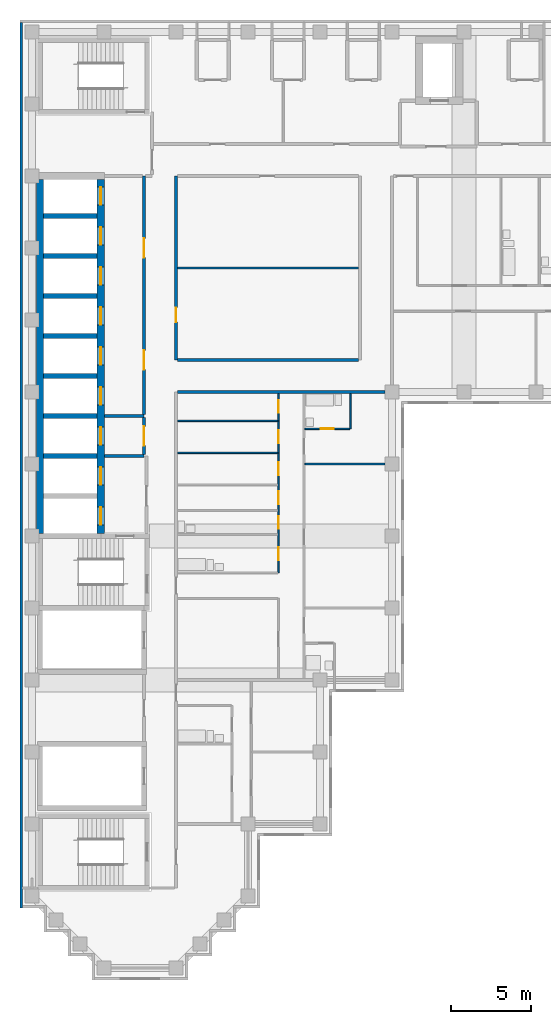
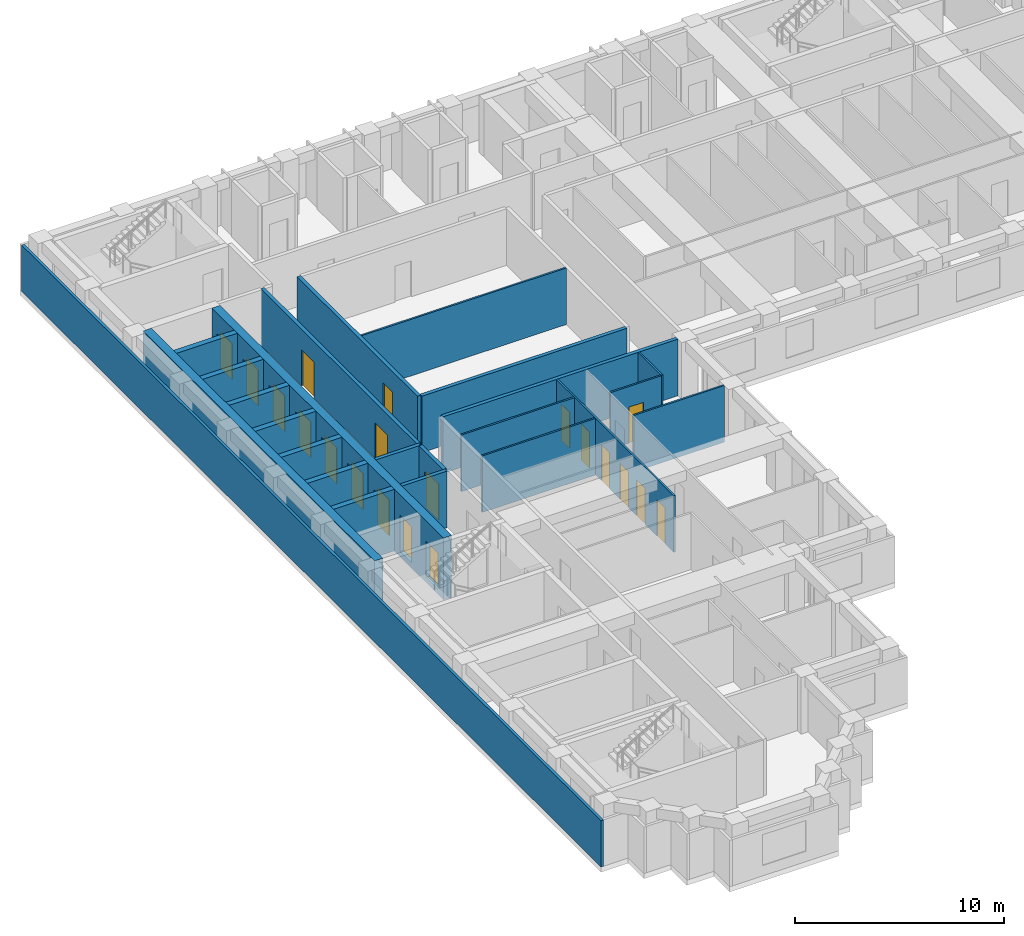
# One storey, part 4 of 10: 24 walls, 20 doors, 20 openings.
"""IFC4 building model written with IfcOpenShell, lengths in metres."""

from ifc_helpers import new_model, si_unit, direction, frame, frame_2d, origin, place, context, subcontext, project, spatial, rectangle, extrude, material, layer, layer_set, type_object, element, fill, save


model = new_model("IFC4")

# Units and contexts
model_context = context("Model", 3, precision=1e-05, world=origin(), true_north=direction((0.0, 1.0)))
body_context = subcontext(model_context, "Body", "Model", "MODEL_VIEW")
ifc_project = project(units=[si_unit("LENGTHUNIT", "METRE"), si_unit("AREAUNIT", "SQUARE_METRE"), si_unit("VOLUMEUNIT", "CUBIC_METRE"), si_unit("PLANEANGLEUNIT", "RADIAN"), si_unit("MASSUNIT", "GRAM", prefix="KILO")], contexts=[model_context])

# Site, building, storey
site_placement = place(None, origin())
site = spatial("IfcSite", under=ifc_project, at=site_placement, CompositionType="ELEMENT")
building_placement = place(site_placement, origin())
building = spatial("IfcBuilding", under=site, at=building_placement, Name="Firuza Court", CompositionType="ELEMENT")
storey_placement = place(building_placement, frame((0.0, 0.0, 197.0)))
storey = spatial("IfcBuildingStorey", under=building, at=storey_placement, Name="L50", CompositionType="ELEMENT", Elevation=197.0)

# Wall, opening, door
ifc_material_1 = material(Name="Moisture-resistant gypsum board partition")
ifc_layer_1 = layer(ifc_material_1, 0.10009765625)
ifc_layer_set_1 = layer_set([ifc_layer_1], Name="Moisture-resistant gypsum board partition")
wall_type_1 = type_object("IfcWallType", Name="Bathroom partition 100", PredefinedType="PLUMBINGWALL", material=ifc_layer_set_1)
wall_1_placement = place(storey_placement, frame((17.050048828125, 33.699951171875, 0.0), z_axis=(0.0, 0.0, 1.0), x_axis=(1.0, 0.0, 0.0)))
wall_1 = element("IfcWall", 1, at=wall_1_placement, inside=storey, type_object=wall_type_1, Name="Bathroom partition 100 L50", PredefinedType="PLUMBINGWALL", context=body_context, shape_type="SweptSolid", body=[
    extrude(rectangle(XDim=2.800048828125, YDim=0.10009765625, at=frame_2d((1.39990234375, 0.0))), origin(), (0.0, 0.0, 1.0), 3.300048828125),
])
opening_1_placement = place(wall_1_placement, frame((1.0, 0.0, 0.0)))
opening_1 = element("IfcOpeningElement", 2, at=opening_1_placement, cuts=wall_1, Name="Opening D50035", PredefinedType="OPENING", context=body_context, shape_type="SweptSolid", body=[
    extrude(rectangle(XDim=0.800048828125, YDim=2.10009765625, at=frame_2d((0.39990234375, 1.050048828125))), frame((0.0, 0.06201171875, 0.0), z_axis=(0.0, -1.0, 0.0), x_axis=(1.0, 0.0, 0.0)), (0.0, 0.0, 1.0), 0.1240234375),
])
ifc_material_2 = material(Name="Timber door leaf in hardwood frame", Category="wood")
door_type_1 = type_object("IfcDoorType", Name="Bathroom door 800", OperationType="SINGLE_SWING_LEFT", PredefinedType="DOOR", material=ifc_material_2)
door_1_placement = place(opening_1_placement, origin())
door_1 = element("IfcDoor", 3, at=door_1_placement, inside=storey, type_object=door_type_1, Name="En-suite door", OperationType="SINGLE_SWING_LEFT", OverallHeight=2.10009765625, OverallWidth=0.800048828125, PredefinedType="DOOR", context=body_context, shape_type="SweptSolid", body=[
    extrude(rectangle(XDim=0.800048828125, YDim=2.10009765625, at=frame_2d((0.39990234375, 1.050048828125))), frame((0.0, 0.02490234375, 0.0), z_axis=(0.0, -1.0, 0.0), x_axis=(1.0, 0.0, 0.0)), (0.0, 0.0, 1.0), 0.050048828125),
])
fill(opening_1, door_1)

# Walls
wall_2_placement = place(storey_placement, frame((19.89990234375, 33.699951171875, 0.0), z_axis=(0.0, 0.0, 1.0), x_axis=(0.0, 1.0, 0.0)))
element("IfcWall", 4, at=wall_2_placement, inside=storey, type_object=wall_type_1, Name="Bathroom partition 100 L50", PredefinedType="PLUMBINGWALL", context=body_context, shape_type="SweptSolid", body=[
    extrude(rectangle(XDim=2.199951171875, YDim=0.10009765625, at=frame_2d((1.10009765625, 0.0))), origin(), (0.0, 0.0, 1.0), 3.300048828125),
])
ifc_material_3 = material(Name="Concrete C50/60", Category="concrete")
ifc_layer_2 = layer(ifc_material_3, 0.300048828125)
ifc_layer_set_2 = layer_set([ifc_layer_2], Name="Concrete C50/60")
wall_type_2 = type_object("IfcWallType", Name="Core wall 300 C50/60", PredefinedType="SHEAR", material=ifc_layer_set_2)
for number, where, z_axis, x_axis, name in (
    (5, (0.72509765625, 32.0, -0.300048828125), (0.0, 0.0, 1.0), (1.0, 0.0, 0.0), "Core wall lift shaft L50"),
    (6, (0.72509765625, 34.5, -0.300048828125), (0.0, 0.0, 1.0), (1.0, 0.0, 0.0), "Core wall lift shaft L50"),
    (7, (0.72509765625, 37.0, -0.300048828125), (0.0, 0.0, 1.0), (1.0, 0.0, 0.0), "Core wall lift shaft L50"),
    (8, (0.72509765625, 39.5, -0.300048828125), (0.0, 0.0, 1.0), (1.0, 0.0, 0.0), "Core wall lift shaft L50"),
    (9, (0.72509765625, 42.0, -0.300048828125), (0.0, 0.0, 1.0), (1.0, 0.0, 0.0), "Core wall lift shaft L50"),
    (10, (0.72509765625, 44.5, -0.300048828125), (0.0, 0.0, 1.0), (1.0, 0.0, 0.0), "Core wall lift shaft L50"),
    (11, (0.72509765625, 47.0, -0.300048828125), (0.0, 0.0, 1.0), (1.0, 0.0, 0.0), "Core wall lift shaft L50"),
):
    element("IfcWall", number, at=place(storey_placement, frame(where, z_axis=z_axis, x_axis=x_axis)), inside=storey, type_object=wall_type_2, Name=name, PredefinedType="SHEAR", context=body_context, shape_type="SweptSolid", body=[
        extrude(rectangle(XDim=3.349853515625, YDim=0.300048828125, at=frame_2d((1.6748046875, 0.0))), origin(), (0.0, 0.0, 1.0), 3.60009765625),
    ])
ifc_layer_3 = layer(ifc_material_3, 0.449951171875)
ifc_layer_set_3 = layer_set([ifc_layer_3], Name="Concrete C50/60")
wall_type_3 = type_object("IfcWallType", Name="Core wall 450 C50/60", PredefinedType="SHEAR", material=ifc_layer_set_3)
wall_3_placement = place(storey_placement, frame((0.5, 27.14990234375, -0.300048828125), z_axis=(0.0, 0.0, 1.0), x_axis=(0.0, 1.0, 0.0)))
element("IfcWall", 12, at=wall_3_placement, inside=storey, type_object=wall_type_3, Name="Core wall lift shaft L50", PredefinedType="SHEAR", context=body_context, shape_type="SweptSolid", body=[
    extrude(rectangle(XDim=22.125, YDim=0.449951171875, at=frame_2d((11.0625, 0.0))), origin(), (0.0, 0.0, 1.0), 3.60009765625),
])

# Wall, openings, doors
wall_4_placement = place(storey_placement, frame((4.300048828125, 27.14990234375, -0.300048828125), z_axis=(0.0, 0.0, 1.0), x_axis=(0.0, 1.0, 0.0)))
wall_4 = element("IfcWall", 13, at=wall_4_placement, inside=storey, type_object=wall_type_3, Name="Core wall lift shaft L50", PredefinedType="SHEAR", context=body_context, shape_type="SweptSolid", body=[
    extrude(rectangle(XDim=22.125, YDim=0.449951171875, at=frame_2d((11.0625, 0.0))), origin(), (0.0, 0.0, 1.0), 3.60009765625),
])
opening_2_placement = place(wall_4_placement, frame((3.050048828125, 0.0, 0.300048828125)))
opening_2 = element("IfcOpeningElement", 14, at=opening_2_placement, cuts=wall_4, Name="Opening LD-FL1-50", PredefinedType="OPENING", context=body_context, shape_type="SweptSolid", body=[
    extrude(rectangle(XDim=1.10009765625, YDim=2.10009765625, at=frame_2d((0.550048828125, 1.050048828125))), frame((0.0, 0.23681640625, 0.0), z_axis=(0.0, -1.0, 0.0), x_axis=(1.0, 0.0, 0.0)), (0.0, 0.0, 1.0), 0.473876953125),
])
opening_3_placement = place(wall_4_placement, frame((0.550048828125, 0.0, 0.300048828125)))
opening_3 = element("IfcOpeningElement", 15, at=opening_3_placement, cuts=wall_4, Name="Opening LD-FL2-50", PredefinedType="OPENING", context=body_context, shape_type="SweptSolid", body=[
    extrude(rectangle(XDim=1.10009765625, YDim=2.10009765625, at=frame_2d((0.550048828125, 1.050048828125))), frame((0.0, 0.23681640625, 0.0), z_axis=(0.0, -1.0, 0.0), x_axis=(1.0, 0.0, 0.0)), (0.0, 0.0, 1.0), 0.473876953125),
])
opening_4_placement = place(wall_4_placement, frame((20.550048828125, 0.0, 0.300048828125)))
opening_4 = element("IfcOpeningElement", 16, at=opening_4_placement, cuts=wall_4, Name="Opening LD-HB1-50", PredefinedType="OPENING", context=body_context, shape_type="SweptSolid", body=[
    extrude(rectangle(XDim=1.10009765625, YDim=2.10009765625, at=frame_2d((0.550048828125, 1.050048828125))), frame((0.0, 0.23681640625, 0.0), z_axis=(0.0, -1.0, 0.0), x_axis=(1.0, 0.0, 0.0)), (0.0, 0.0, 1.0), 0.473876953125),
])
opening_5_placement = place(wall_4_placement, frame((18.050048828125, 0.0, 0.300048828125)))
opening_5 = element("IfcOpeningElement", 17, at=opening_5_placement, cuts=wall_4, Name="Opening LD-HB2-50", PredefinedType="OPENING", context=body_context, shape_type="SweptSolid", body=[
    extrude(rectangle(XDim=1.10009765625, YDim=2.10009765625, at=frame_2d((0.550048828125, 1.050048828125))), frame((0.0, 0.23681640625, 0.0), z_axis=(0.0, -1.0, 0.0), x_axis=(1.0, 0.0, 0.0)), (0.0, 0.0, 1.0), 0.473876953125),
])
opening_6_placement = place(wall_4_placement, frame((15.550048828125, 0.0, 0.300048828125)))
opening_6 = element("IfcOpeningElement", 18, at=opening_6_placement, cuts=wall_4, Name="Opening LD-HB3-50", PredefinedType="OPENING", context=body_context, shape_type="SweptSolid", body=[
    extrude(rectangle(XDim=1.10009765625, YDim=2.10009765625, at=frame_2d((0.550048828125, 1.050048828125))), frame((0.0, 0.23681640625, 0.0), z_axis=(0.0, -1.0, 0.0), x_axis=(1.0, 0.0, 0.0)), (0.0, 0.0, 1.0), 0.473876953125),
])
opening_7_placement = place(wall_4_placement, frame((13.050048828125, 0.0, 0.300048828125)))
opening_7 = element("IfcOpeningElement", 19, at=opening_7_placement, cuts=wall_4, Name="Opening LD-HB4-50", PredefinedType="OPENING", context=body_context, shape_type="SweptSolid", body=[
    extrude(rectangle(XDim=1.10009765625, YDim=2.10009765625, at=frame_2d((0.550048828125, 1.050048828125))), frame((0.0, 0.23681640625, 0.0), z_axis=(0.0, -1.0, 0.0), x_axis=(1.0, 0.0, 0.0)), (0.0, 0.0, 1.0), 0.473876953125),
])
opening_8_placement = place(wall_4_placement, frame((10.550048828125, 0.0, 0.300048828125)))
opening_8 = element("IfcOpeningElement", 20, at=opening_8_placement, cuts=wall_4, Name="Opening LD-HB5-50", PredefinedType="OPENING", context=body_context, shape_type="SweptSolid", body=[
    extrude(rectangle(XDim=1.10009765625, YDim=2.10009765625, at=frame_2d((0.550048828125, 1.050048828125))), frame((0.0, 0.23681640625, 0.0), z_axis=(0.0, -1.0, 0.0), x_axis=(1.0, 0.0, 0.0)), (0.0, 0.0, 1.0), 0.473876953125),
])
opening_9_placement = place(wall_4_placement, frame((8.050048828125, 0.0, 0.300048828125)))
opening_9 = element("IfcOpeningElement", 21, at=opening_9_placement, cuts=wall_4, Name="Opening LD-HB6-50", PredefinedType="OPENING", context=body_context, shape_type="SweptSolid", body=[
    extrude(rectangle(XDim=1.10009765625, YDim=2.10009765625, at=frame_2d((0.550048828125, 1.050048828125))), frame((0.0, 0.23681640625, 0.0), z_axis=(0.0, -1.0, 0.0), x_axis=(1.0, 0.0, 0.0)), (0.0, 0.0, 1.0), 0.473876953125),
])
opening_10_placement = place(wall_4_placement, frame((5.550048828125, 0.0, 0.300048828125)))
opening_10 = element("IfcOpeningElement", 22, at=opening_10_placement, cuts=wall_4, Name="Opening LD-SL1-50", PredefinedType="OPENING", context=body_context, shape_type="SweptSolid", body=[
    extrude(rectangle(XDim=1.10009765625, YDim=2.10009765625, at=frame_2d((0.550048828125, 1.050048828125))), frame((0.0, 0.23681640625, 0.0), z_axis=(0.0, -1.0, 0.0), x_axis=(1.0, 0.0, 0.0)), (0.0, 0.0, 1.0), 0.473876953125),
])
ifc_material_4 = material(Name="Stainless steel 1.4301 door leaf", Category="steel")
door_type_2 = type_object("IfcDoorType", Name="Lift landing door 1100", OperationType="SLIDING_TO_LEFT", PredefinedType="DOOR", material=ifc_material_4)
door_2_placement = place(opening_2_placement, origin())
door_2 = element("IfcDoor", 23, at=door_2_placement, inside=storey, type_object=door_type_2, Name="Landing door FL1", OperationType="SLIDING_TO_LEFT", OverallHeight=2.10009765625, OverallWidth=1.10009765625, PredefinedType="DOOR", context=body_context, shape_type="SweptSolid", body=[
    extrude(rectangle(XDim=1.10009765625, YDim=2.10009765625, at=frame_2d((0.550048828125, 1.050048828125))), frame((0.0, 0.02490234375, 0.0), z_axis=(0.0, -1.0, 0.0), x_axis=(1.0, 0.0, 0.0)), (0.0, 0.0, 1.0), 0.050048828125),
])
fill(opening_2, door_2)
door_3_placement = place(opening_3_placement, origin())
door_3 = element("IfcDoor", 24, at=door_3_placement, inside=storey, type_object=door_type_2, Name="Landing door FL2", OperationType="SLIDING_TO_LEFT", OverallHeight=2.10009765625, OverallWidth=1.10009765625, PredefinedType="DOOR", context=body_context, shape_type="SweptSolid", body=[
    extrude(rectangle(XDim=1.10009765625, YDim=2.10009765625, at=frame_2d((0.550048828125, 1.050048828125))), frame((0.0, 0.02490234375, 0.0), z_axis=(0.0, -1.0, 0.0), x_axis=(1.0, 0.0, 0.0)), (0.0, 0.0, 1.0), 0.050048828125),
])
fill(opening_3, door_3)
door_4_placement = place(opening_4_placement, origin())
door_4 = element("IfcDoor", 25, at=door_4_placement, inside=storey, type_object=door_type_2, Name="Landing door HB1", OperationType="SLIDING_TO_LEFT", OverallHeight=2.10009765625, OverallWidth=1.10009765625, PredefinedType="DOOR", context=body_context, shape_type="SweptSolid", body=[
    extrude(rectangle(XDim=1.10009765625, YDim=2.10009765625, at=frame_2d((0.550048828125, 1.050048828125))), frame((0.0, 0.02490234375, 0.0), z_axis=(0.0, -1.0, 0.0), x_axis=(1.0, 0.0, 0.0)), (0.0, 0.0, 1.0), 0.050048828125),
])
fill(opening_4, door_4)
door_5_placement = place(opening_5_placement, origin())
door_5 = element("IfcDoor", 26, at=door_5_placement, inside=storey, type_object=door_type_2, Name="Landing door HB2", OperationType="SLIDING_TO_LEFT", OverallHeight=2.10009765625, OverallWidth=1.10009765625, PredefinedType="DOOR", context=body_context, shape_type="SweptSolid", body=[
    extrude(rectangle(XDim=1.10009765625, YDim=2.10009765625, at=frame_2d((0.550048828125, 1.050048828125))), frame((0.0, 0.02490234375, 0.0), z_axis=(0.0, -1.0, 0.0), x_axis=(1.0, 0.0, 0.0)), (0.0, 0.0, 1.0), 0.050048828125),
])
fill(opening_5, door_5)
door_6_placement = place(opening_6_placement, origin())
door_6 = element("IfcDoor", 27, at=door_6_placement, inside=storey, type_object=door_type_2, Name="Landing door HB3", OperationType="SLIDING_TO_LEFT", OverallHeight=2.10009765625, OverallWidth=1.10009765625, PredefinedType="DOOR", context=body_context, shape_type="SweptSolid", body=[
    extrude(rectangle(XDim=1.10009765625, YDim=2.10009765625, at=frame_2d((0.550048828125, 1.050048828125))), frame((0.0, 0.02490234375, 0.0), z_axis=(0.0, -1.0, 0.0), x_axis=(1.0, 0.0, 0.0)), (0.0, 0.0, 1.0), 0.050048828125),
])
fill(opening_6, door_6)
door_7_placement = place(opening_7_placement, origin())
door_7 = element("IfcDoor", 28, at=door_7_placement, inside=storey, type_object=door_type_2, Name="Landing door HB4", OperationType="SLIDING_TO_LEFT", OverallHeight=2.10009765625, OverallWidth=1.10009765625, PredefinedType="DOOR", context=body_context, shape_type="SweptSolid", body=[
    extrude(rectangle(XDim=1.10009765625, YDim=2.10009765625, at=frame_2d((0.550048828125, 1.050048828125))), frame((0.0, 0.02490234375, 0.0), z_axis=(0.0, -1.0, 0.0), x_axis=(1.0, 0.0, 0.0)), (0.0, 0.0, 1.0), 0.050048828125),
])
fill(opening_7, door_7)
door_8_placement = place(opening_8_placement, origin())
door_8 = element("IfcDoor", 29, at=door_8_placement, inside=storey, type_object=door_type_2, Name="Landing door HB5", OperationType="SLIDING_TO_LEFT", OverallHeight=2.10009765625, OverallWidth=1.10009765625, PredefinedType="DOOR", context=body_context, shape_type="SweptSolid", body=[
    extrude(rectangle(XDim=1.10009765625, YDim=2.10009765625, at=frame_2d((0.550048828125, 1.050048828125))), frame((0.0, 0.02490234375, 0.0), z_axis=(0.0, -1.0, 0.0), x_axis=(1.0, 0.0, 0.0)), (0.0, 0.0, 1.0), 0.050048828125),
])
fill(opening_8, door_8)
door_9_placement = place(opening_9_placement, origin())
door_9 = element("IfcDoor", 30, at=door_9_placement, inside=storey, type_object=door_type_2, Name="Landing door HB6", OperationType="SLIDING_TO_LEFT", OverallHeight=2.10009765625, OverallWidth=1.10009765625, PredefinedType="DOOR", context=body_context, shape_type="SweptSolid", body=[
    extrude(rectangle(XDim=1.10009765625, YDim=2.10009765625, at=frame_2d((0.550048828125, 1.050048828125))), frame((0.0, 0.02490234375, 0.0), z_axis=(0.0, -1.0, 0.0), x_axis=(1.0, 0.0, 0.0)), (0.0, 0.0, 1.0), 0.050048828125),
])
fill(opening_9, door_9)
door_10_placement = place(opening_10_placement, origin())
door_10 = element("IfcDoor", 31, at=door_10_placement, inside=storey, type_object=door_type_2, Name="Landing door SL1", OperationType="SLIDING_TO_LEFT", OverallHeight=2.10009765625, OverallWidth=1.10009765625, PredefinedType="DOOR", context=body_context, shape_type="SweptSolid", body=[
    extrude(rectangle(XDim=1.10009765625, YDim=2.10009765625, at=frame_2d((0.550048828125, 1.050048828125))), frame((0.0, 0.02490234375, 0.0), z_axis=(0.0, -1.0, 0.0), x_axis=(1.0, 0.0, 0.0)), (0.0, 0.0, 1.0), 0.050048828125),
])
fill(opening_10, door_10)

# Wall, opening, door
ifc_material_5 = material(Name="Blockwork, plastered both sides", Category="masonry")
ifc_layer_4 = layer(ifc_material_5, 0.199951171875)
ifc_layer_set_4 = layer_set([ifc_layer_4], Name="Blockwork, plastered both sides")
wall_type_4 = type_object("IfcWallType", Name="Corridor wall 200", PredefinedType="PARTITIONING", material=ifc_layer_set_4)
wall_5_placement = place(storey_placement, frame((9.0, 38.0, 0.0), z_axis=(0.0, 0.0, 1.0), x_axis=(0.0, 1.0, 0.0)))
wall_5 = element("IfcWall", 32, at=wall_5_placement, inside=storey, type_object=wall_type_4, Name="Corridor wall 200 L50", PredefinedType="PARTITIONING", context=body_context, shape_type="SweptSolid", body=[
    extrude(rectangle(XDim=11.5, YDim=0.199951171875, at=frame_2d((5.75, 0.0))), origin(), (0.0, 0.0, 1.0), 3.300048828125),
])
opening_11_placement = place(wall_5_placement, frame((2.375, 0.0, 0.0)))
opening_11 = element("IfcOpeningElement", 33, at=opening_11_placement, cuts=wall_5, Name="Opening D50036", PredefinedType="OPENING", context=body_context, shape_type="SweptSolid", body=[
    extrude(rectangle(XDim=0.89990234375, YDim=2.10009765625, at=frame_2d((0.449951171875, 1.050048828125))), frame((0.0, 0.11181640625, 0.0), z_axis=(0.0, -1.0, 0.0), x_axis=(1.0, 0.0, 0.0)), (0.0, 0.0, 1.0), 0.223876953125),
])
ifc_material_6 = material(Name="Timber door leaf in hardwood frame", Category="wood")
door_type_3 = type_object("IfcDoorType", Name="Room door 900 EI 30", OperationType="SINGLE_SWING_LEFT", PredefinedType="DOOR", material=ifc_material_6)
door_11_placement = place(opening_11_placement, frame((0.89990234375, 0.0, 0.0), z_axis=(0.0, 0.0, 1.0), x_axis=(-1.0, 0.0, 0.0)))
door_11 = element("IfcDoor", 34, at=door_11_placement, inside=storey, type_object=door_type_3, Name="Wine room door", OperationType="SINGLE_SWING_RIGHT", OverallHeight=2.10009765625, OverallWidth=0.89990234375, PredefinedType="DOOR", context=body_context, shape_type="SweptSolid", body=[
    extrude(rectangle(XDim=0.89990234375, YDim=2.10009765625, at=frame_2d((0.449951171875, 1.050048828125))), frame((0.0, 0.02490234375, 0.0), z_axis=(0.0, -1.0, 0.0), x_axis=(1.0, 0.0, 0.0)), (0.0, 0.0, 1.0), 0.050048828125),
])
fill(opening_11, door_11)

# Wall
wall_6_placement = place(storey_placement, frame((9.10009765625, 38.0, 0.0), z_axis=(0.0, 0.0, 1.0), x_axis=(1.0, 0.0, 0.0)))
element("IfcWall", 35, at=wall_6_placement, inside=storey, type_object=wall_type_4, Name="Corridor wall 200 L50", PredefinedType="PARTITIONING", context=body_context, shape_type="SweptSolid", body=[
    extrude(rectangle(XDim=11.2998046875, YDim=0.199951171875, at=frame_2d((5.64990234375, 0.0))), origin(), (0.0, 0.0, 1.0), 3.300048828125),
])

# Wall, openings, doors
ifc_material_7 = material(Name="Timber stud partition, plasterboard both sides", Category="wood")
ifc_layer_5 = layer(ifc_material_7, 0.10009765625)
ifc_layer_set_5 = layer_set([ifc_layer_5], Name="Timber stud partition, plasterboard both sides")
wall_type_5 = type_object("IfcWallType", Name="Partition wall 100", PredefinedType="PARTITIONING", material=ifc_layer_set_5)
wall_7_placement = place(storey_placement, frame((15.39990234375, 24.699951171875, 0.0), z_axis=(0.0, 0.0, 1.0), x_axis=(0.0, 1.0, 0.0)))
wall_7 = element("IfcWall", 36, at=wall_7_placement, inside=storey, type_object=wall_type_5, Name="Partition wall 100 L50", PredefinedType="PARTITIONING", context=body_context, shape_type="SweptSolid", body=[
    extrude(rectangle(XDim=11.199951171875, YDim=0.10009765625, at=frame_2d((5.60009765625, 0.0))), origin(), (0.0, 0.0, 1.0), 3.300048828125),
])
opening_12_placement = place(wall_7_placement, frame((0.800048828125, 0.0, 0.0)))
opening_12 = element("IfcOpeningElement", 37, at=opening_12_placement, cuts=wall_7, Name="Opening D50029", PredefinedType="OPENING", context=body_context, shape_type="SweptSolid", body=[
    extrude(rectangle(XDim=0.800048828125, YDim=2.10009765625, at=frame_2d((0.39990234375, 1.050048828125))), frame((0.0, 0.06201171875, 0.0), z_axis=(0.0, -1.0, 0.0), x_axis=(1.0, 0.0, 0.0)), (0.0, 0.0, 1.0), 0.1240234375),
])
opening_13_placement = place(wall_7_placement, frame((8.10009765625, 0.0, 0.0)))
opening_13 = element("IfcOpeningElement", 38, at=opening_13_placement, cuts=wall_7, Name="Opening D50030", PredefinedType="OPENING", context=body_context, shape_type="SweptSolid", body=[
    extrude(rectangle(XDim=0.800048828125, YDim=2.10009765625, at=frame_2d((0.39990234375, 1.050048828125))), frame((0.0, 0.06201171875, 0.0), z_axis=(0.0, -1.0, 0.0), x_axis=(1.0, 0.0, 0.0)), (0.0, 0.0, 1.0), 0.1240234375),
])
opening_14_placement = place(wall_7_placement, frame((4.300048828125, 0.0, 0.0)))
opening_14 = element("IfcOpeningElement", 39, at=opening_14_placement, cuts=wall_7, Name="Opening D50031", PredefinedType="OPENING", context=body_context, shape_type="SweptSolid", body=[
    extrude(rectangle(XDim=0.800048828125, YDim=2.10009765625, at=frame_2d((0.39990234375, 1.050048828125))), frame((0.0, 0.06201171875, 0.0), z_axis=(0.0, -1.0, 0.0), x_axis=(1.0, 0.0, 0.0)), (0.0, 0.0, 1.0), 0.1240234375),
])
opening_15_placement = place(wall_7_placement, frame((6.10009765625, 0.0, 0.0)))
opening_15 = element("IfcOpeningElement", 40, at=opening_15_placement, cuts=wall_7, Name="Opening D50032", PredefinedType="OPENING", context=body_context, shape_type="SweptSolid", body=[
    extrude(rectangle(XDim=0.800048828125, YDim=2.10009765625, at=frame_2d((0.39990234375, 1.050048828125))), frame((0.0, 0.06201171875, 0.0), z_axis=(0.0, -1.0, 0.0), x_axis=(1.0, 0.0, 0.0)), (0.0, 0.0, 1.0), 0.1240234375),
])
opening_16_placement = place(wall_7_placement, frame((10.0, 0.0, 0.0)))
opening_16 = element("IfcOpeningElement", 41, at=opening_16_placement, cuts=wall_7, Name="Opening D50033", PredefinedType="OPENING", context=body_context, shape_type="SweptSolid", body=[
    extrude(rectangle(XDim=0.800048828125, YDim=2.10009765625, at=frame_2d((0.39990234375, 1.050048828125))), frame((0.0, 0.06201171875, 0.0), z_axis=(0.0, -1.0, 0.0), x_axis=(1.0, 0.0, 0.0)), (0.0, 0.0, 1.0), 0.1240234375),
])
opening_17_placement = place(wall_7_placement, frame((2.75, 0.0, 0.0)))
opening_17 = element("IfcOpeningElement", 42, at=opening_17_placement, cuts=wall_7, Name="Opening D50034", PredefinedType="OPENING", context=body_context, shape_type="SweptSolid", body=[
    extrude(rectangle(XDim=0.800048828125, YDim=2.10009765625, at=frame_2d((0.39990234375, 1.050048828125))), frame((0.0, 0.06201171875, 0.0), z_axis=(0.0, -1.0, 0.0), x_axis=(1.0, 0.0, 0.0)), (0.0, 0.0, 1.0), 0.1240234375),
])
door_12_placement = place(opening_12_placement, origin())
door_12 = element("IfcDoor", 43, at=door_12_placement, inside=storey, type_object=door_type_1, Name="Bathroom door", OperationType="SINGLE_SWING_LEFT", OverallHeight=2.10009765625, OverallWidth=0.800048828125, PredefinedType="DOOR", context=body_context, shape_type="SweptSolid", body=[
    extrude(rectangle(XDim=0.800048828125, YDim=2.10009765625, at=frame_2d((0.39990234375, 1.050048828125))), frame((0.0, 0.02490234375, 0.0), z_axis=(0.0, -1.0, 0.0), x_axis=(1.0, 0.0, 0.0)), (0.0, 0.0, 1.0), 0.050048828125),
])
fill(opening_12, door_12)
door_13_placement = place(opening_17_placement, origin())
door_13 = element("IfcDoor", 44, at=door_13_placement, inside=storey, type_object=door_type_1, Name="Powder room door", OperationType="SINGLE_SWING_LEFT", OverallHeight=2.10009765625, OverallWidth=0.800048828125, PredefinedType="DOOR", context=body_context, shape_type="SweptSolid", body=[
    extrude(rectangle(XDim=0.800048828125, YDim=2.10009765625, at=frame_2d((0.39990234375, 1.050048828125))), frame((0.0, 0.02490234375, 0.0), z_axis=(0.0, -1.0, 0.0), x_axis=(1.0, 0.0, 0.0)), (0.0, 0.0, 1.0), 0.050048828125),
])
fill(opening_17, door_13)
ifc_material_8 = material(Name="Timber door leaf in hardwood frame", Category="wood")
door_type_4 = type_object("IfcDoorType", Name="Room door 800", OperationType="SINGLE_SWING_LEFT", PredefinedType="DOOR", material=ifc_material_8)
door_14_placement = place(opening_13_placement, origin())
door_14 = element("IfcDoor", 45, at=door_14_placement, inside=storey, type_object=door_type_4, Name="Pantry door", OperationType="SINGLE_SWING_LEFT", OverallHeight=2.10009765625, OverallWidth=0.800048828125, PredefinedType="DOOR", context=body_context, shape_type="SweptSolid", body=[
    extrude(rectangle(XDim=0.800048828125, YDim=2.10009765625, at=frame_2d((0.39990234375, 1.050048828125))), frame((0.0, 0.02490234375, 0.0), z_axis=(0.0, -1.0, 0.0), x_axis=(1.0, 0.0, 0.0)), (0.0, 0.0, 1.0), 0.050048828125),
])
fill(opening_13, door_14)
door_15_placement = place(opening_14_placement, origin())
door_15 = element("IfcDoor", 46, at=door_15_placement, inside=storey, type_object=door_type_4, Name="Store door", OperationType="SINGLE_SWING_LEFT", OverallHeight=2.10009765625, OverallWidth=0.800048828125, PredefinedType="DOOR", context=body_context, shape_type="SweptSolid", body=[
    extrude(rectangle(XDim=0.800048828125, YDim=2.10009765625, at=frame_2d((0.39990234375, 1.050048828125))), frame((0.0, 0.02490234375, 0.0), z_axis=(0.0, -1.0, 0.0), x_axis=(1.0, 0.0, 0.0)), (0.0, 0.0, 1.0), 0.050048828125),
])
fill(opening_14, door_15)
door_16_placement = place(opening_15_placement, origin())
door_16 = element("IfcDoor", 47, at=door_16_placement, inside=storey, type_object=door_type_4, Name="Utility room door", OperationType="SINGLE_SWING_LEFT", OverallHeight=2.10009765625, OverallWidth=0.800048828125, PredefinedType="DOOR", context=body_context, shape_type="SweptSolid", body=[
    extrude(rectangle(XDim=0.800048828125, YDim=2.10009765625, at=frame_2d((0.39990234375, 1.050048828125))), frame((0.0, 0.02490234375, 0.0), z_axis=(0.0, -1.0, 0.0), x_axis=(1.0, 0.0, 0.0)), (0.0, 0.0, 1.0), 0.050048828125),
])
fill(opening_15, door_16)
door_17_placement = place(opening_16_placement, origin())
door_17 = element("IfcDoor", 48, at=door_17_placement, inside=storey, type_object=door_type_4, Name="Walk-in wardrobe door", OperationType="SINGLE_SWING_LEFT", OverallHeight=2.10009765625, OverallWidth=0.800048828125, PredefinedType="DOOR", context=body_context, shape_type="SweptSolid", body=[
    extrude(rectangle(XDim=0.800048828125, YDim=2.10009765625, at=frame_2d((0.39990234375, 1.050048828125))), frame((0.0, 0.02490234375, 0.0), z_axis=(0.0, -1.0, 0.0), x_axis=(1.0, 0.0, 0.0)), (0.0, 0.0, 1.0), 0.050048828125),
])
fill(opening_16, door_17)

# Walls
wall_8_placement = place(storey_placement, frame((17.050048828125, 31.5, 0.0), z_axis=(0.0, 0.0, 1.0), x_axis=(1.0, 0.0, 0.0)))
element("IfcWall", 49, at=wall_8_placement, inside=storey, type_object=wall_type_5, Name="Partition wall 100 L50", PredefinedType="PARTITIONING", context=body_context, shape_type="SweptSolid", body=[
    extrude(rectangle(XDim=5.0, YDim=0.10009765625, at=frame_2d((2.5, 0.0))), origin(), (0.0, 0.0, 1.0), 3.300048828125),
])
for number, where, z_axis, x_axis, name in (
    (50, (9.10009765625, 32.199951171875, 0.0), (0.0, 0.0, 1.0), (1.0, 0.0, 0.0), "Partition wall 100 L50"),
    (51, (9.10009765625, 34.199951171875, 0.0), (0.0, 0.0, 1.0), (1.0, 0.0, 0.0), "Partition wall 100 L50"),
):
    element("IfcWall", number, at=place(storey_placement, frame(where, z_axis=z_axis, x_axis=x_axis)), inside=storey, type_object=wall_type_5, Name=name, PredefinedType="PARTITIONING", context=body_context, shape_type="SweptSolid", body=[
        extrude(rectangle(XDim=6.25, YDim=0.10009765625, at=frame_2d((3.125, 0.0))), origin(), (0.0, 0.0, 1.0), 3.300048828125),
    ])
wall_9_placement = place(storey_placement, frame((9.10009765625, 43.75, 0.0), z_axis=(0.0, 0.0, 1.0), x_axis=(1.0, 0.0, 0.0)))
element("IfcWall", 52, at=wall_9_placement, inside=storey, type_object=wall_type_5, Name="Partition wall 100 L50", PredefinedType="PARTITIONING", context=body_context, shape_type="SweptSolid", body=[
    extrude(rectangle(XDim=11.2998046875, YDim=0.10009765625, at=frame_2d((5.64990234375, 0.0))), origin(), (0.0, 0.0, 1.0), 3.300048828125),
])
ifc_layer_6 = layer(ifc_material_5, 0.199951171875)
ifc_layer_set_6 = layer_set([ifc_layer_6], Name="Blockwork, plastered both sides")
wall_type_6 = type_object("IfcWallType", Name="Party wall 200", PredefinedType="PARTITIONING", material=ifc_layer_set_6)
wall_10_placement = place(storey_placement, frame((9.10009765625, 36.0, 0.0), z_axis=(0.0, 0.0, 1.0), x_axis=(1.0, 0.0, 0.0)))
element("IfcWall", 53, at=wall_10_placement, inside=storey, type_object=wall_type_6, Name="Party wall 200 L50", PredefinedType="PARTITIONING", context=body_context, shape_type="SweptSolid", body=[
    extrude(rectangle(XDim=12.949951171875, YDim=0.199951171875, at=frame_2d((6.47509765625, 0.0))), origin(), (0.0, 0.0, 1.0), 3.300048828125),
])
ifc_material_9 = material(Name="Ceramic tile", Category="ceramic")
ifc_layer_7 = layer(ifc_material_9, 0.02001953125)
ifc_material_10 = material(Name="Mineral wool insulation", Category="insulation")
ifc_layer_8 = layer(ifc_material_10, 0.050048828125)
ifc_material_11 = material(Name="Concrete C40/50 precast", Category="concrete")
ifc_layer_9 = layer(ifc_material_11, 0.080078125)
ifc_layer_set_7 = layer_set([ifc_layer_7, ifc_layer_8, ifc_layer_9], Name="Concrete C40/50 precast")
wall_type_7 = type_object("IfcWallType", Name="Precast cladding wall with turquoise TILE PANEL face 150", PredefinedType="STANDARD", material=ifc_layer_set_7)
wall_11_placement = place(storey_placement, frame((-0.675048828125, 59.10009765625, 0.0), z_axis=(0.0, 0.0, 1.0), x_axis=(0.0, -1.0, 0.0)))
element("IfcWall", 54, at=wall_11_placement, inside=storey, type_object=wall_type_7, Name="Facade wall L50 W", PredefinedType="STANDARD", context=body_context, shape_type="SweptSolid", body=[
    extrude(rectangle(XDim=55.35009765625, YDim=0.14990234375, at=frame_2d((27.675048828125, 0.0))), origin(), (0.0, 0.0, 1.0), 2.699951171875),
])
ifc_material_12 = material(Name="Blockwork, fire-rated", Category="masonry")
ifc_layer_10 = layer(ifc_material_12, 0.199951171875)
ifc_layer_set_8 = layer_set([ifc_layer_10], Name="Blockwork, fire-rated")
wall_type_8 = type_object("IfcWallType", Name="Shaft wall 200", PredefinedType="PARTITIONING", material=ifc_layer_set_8)
wall_12_placement = place(storey_placement, frame((4.544921875, 34.5, 0.0), z_axis=(0.0, 0.0, 1.0), x_axis=(1.0, 0.0, 0.0)))
element("IfcWall", 55, at=wall_12_placement, inside=storey, type_object=wall_type_8, Name="Shaft wall 200 L50", PredefinedType="PARTITIONING", context=body_context, shape_type="SweptSolid", body=[
    extrude(rectangle(XDim=2.455078125, YDim=0.199951171875, at=frame_2d((1.2275390625, 0.0))), origin(), (0.0, 0.0, 1.0), 3.300048828125),
])

# Wall, openings, doors
wall_13_placement = place(storey_placement, frame((7.0, 34.60009765625, 0.0), z_axis=(0.0, 0.0, 1.0), x_axis=(0.0, 1.0, 0.0)))
wall_13 = element("IfcWall", 56, at=wall_13_placement, inside=storey, type_object=wall_type_8, Name="Shaft wall 200 L50", PredefinedType="PARTITIONING", context=body_context, shape_type="SweptSolid", body=[
    extrude(rectangle(XDim=14.89990234375, YDim=0.199951171875, at=frame_2d((7.449951171875, 0.0))), origin(), (0.0, 0.0, 1.0), 3.300048828125),
])
opening_18_placement = place(wall_13_placement, frame((2.800048828125, 0.0, 0.0)))
opening_18 = element("IfcOpeningElement", 57, at=opening_18_placement, cuts=wall_13, Name="Opening D50004", PredefinedType="OPENING", context=body_context, shape_type="SweptSolid", body=[
    extrude(rectangle(XDim=1.199951171875, YDim=2.10009765625, at=frame_2d((0.60009765625, 1.050048828125))), frame((0.0, 0.11181640625, 0.0), z_axis=(0.0, -1.0, 0.0), x_axis=(1.0, 0.0, 0.0)), (0.0, 0.0, 1.0), 0.223876953125),
])
opening_19_placement = place(wall_13_placement, frame((9.800048828125, 0.0, 0.0)))
opening_19 = element("IfcOpeningElement", 58, at=opening_19_placement, cuts=wall_13, Name="Opening D50005", PredefinedType="OPENING", context=body_context, shape_type="SweptSolid", body=[
    extrude(rectangle(XDim=1.199951171875, YDim=2.10009765625, at=frame_2d((0.60009765625, 1.050048828125))), frame((0.0, 0.11181640625, 0.0), z_axis=(0.0, -1.0, 0.0), x_axis=(1.0, 0.0, 0.0)), (0.0, 0.0, 1.0), 0.223876953125),
])
ifc_material_13 = material(Name="Timber door leaf in hardwood frame", Category="wood")
door_type_5 = type_object("IfcDoorType", Name="Lobby door 1200", OperationType="SINGLE_SWING_LEFT", PredefinedType="DOOR", material=ifc_material_13)
door_18_placement = place(opening_18_placement, origin())
door_18 = element("IfcDoor", 59, at=door_18_placement, inside=storey, type_object=door_type_5, Name="Lobby door", OperationType="SINGLE_SWING_LEFT", OverallHeight=2.10009765625, OverallWidth=1.199951171875, PredefinedType="DOOR", context=body_context, shape_type="SweptSolid", body=[
    extrude(rectangle(XDim=1.199951171875, YDim=2.10009765625, at=frame_2d((0.60009765625, 1.050048828125))), frame((0.0, 0.02490234375, 0.0), z_axis=(0.0, -1.0, 0.0), x_axis=(1.0, 0.0, 0.0)), (0.0, 0.0, 1.0), 0.050048828125),
])
fill(opening_18, door_18)
door_19_placement = place(opening_19_placement, origin())
door_19 = element("IfcDoor", 60, at=door_19_placement, inside=storey, type_object=door_type_5, Name="Lobby door", OperationType="SINGLE_SWING_RIGHT", OverallHeight=2.10009765625, OverallWidth=1.199951171875, PredefinedType="DOOR", context=body_context, shape_type="SweptSolid", body=[
    extrude(rectangle(XDim=1.199951171875, YDim=2.10009765625, at=frame_2d((0.60009765625, 1.050048828125))), frame((0.0, 0.02490234375, 0.0), z_axis=(0.0, -1.0, 0.0), x_axis=(1.0, 0.0, 0.0)), (0.0, 0.0, 1.0), 0.050048828125),
])
fill(opening_19, door_19)

# Wall
wall_14_placement = place(storey_placement, frame((4.544921875, 32.0, 0.0), z_axis=(0.0, 0.0, 1.0), x_axis=(1.0, 0.0, 0.0)))
element("IfcWall", 61, at=wall_14_placement, inside=storey, type_object=wall_type_8, Name="Shaft wall 200 L50", PredefinedType="PARTITIONING", context=body_context, shape_type="SweptSolid", body=[
    extrude(rectangle(XDim=2.455078125, YDim=0.199951171875, at=frame_2d((1.2275390625, 0.0))), origin(), (0.0, 0.0, 1.0), 3.300048828125),
])

# Wall, opening, door
wall_15_placement = place(storey_placement, frame((7.0, 32.10009765625, 0.0), z_axis=(0.0, 0.0, 1.0), x_axis=(0.0, 1.0, 0.0)))
wall_15 = element("IfcWall", 62, at=wall_15_placement, inside=storey, type_object=wall_type_8, Name="Shaft wall 200 L50", PredefinedType="PARTITIONING", context=body_context, shape_type="SweptSolid", body=[
    extrude(rectangle(XDim=2.2998046875, YDim=0.199951171875, at=frame_2d((1.14990234375, 0.0))), origin(), (0.0, 0.0, 1.0), 3.300048828125),
])
opening_20_placement = place(wall_15_placement, frame((0.550048828125, 0.0, 0.0)))
opening_20 = element("IfcOpeningElement", 63, at=opening_20_placement, cuts=wall_15, Name="Opening D50007", PredefinedType="OPENING", context=body_context, shape_type="SweptSolid", body=[
    extrude(rectangle(XDim=1.199951171875, YDim=2.10009765625, at=frame_2d((0.60009765625, 1.050048828125))), frame((0.0, 0.11181640625, 0.0), z_axis=(0.0, -1.0, 0.0), x_axis=(1.0, 0.0, 0.0)), (0.0, 0.0, 1.0), 0.223876953125),
])
door_20_placement = place(opening_20_placement, origin())
door_20 = element("IfcDoor", 64, at=door_20_placement, inside=storey, type_object=door_type_5, Name="Lobby door", OperationType="SINGLE_SWING_LEFT", OverallHeight=2.10009765625, OverallWidth=1.199951171875, PredefinedType="DOOR", context=body_context, shape_type="SweptSolid", body=[
    extrude(rectangle(XDim=1.199951171875, YDim=2.10009765625, at=frame_2d((0.60009765625, 1.050048828125))), frame((0.0, 0.02490234375, 0.0), z_axis=(0.0, -1.0, 0.0), x_axis=(1.0, 0.0, 0.0)), (0.0, 0.0, 1.0), 0.050048828125),
])
fill(opening_20, door_20)

save(model, "model.ifc")
